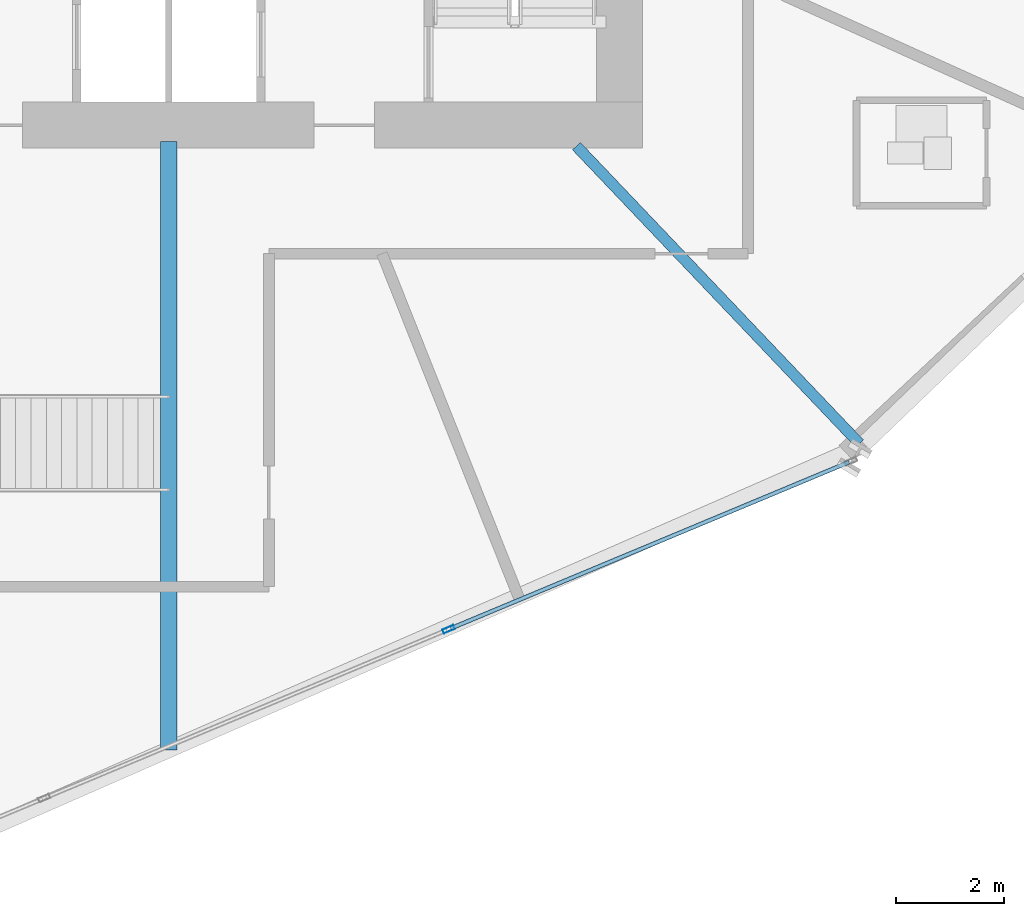
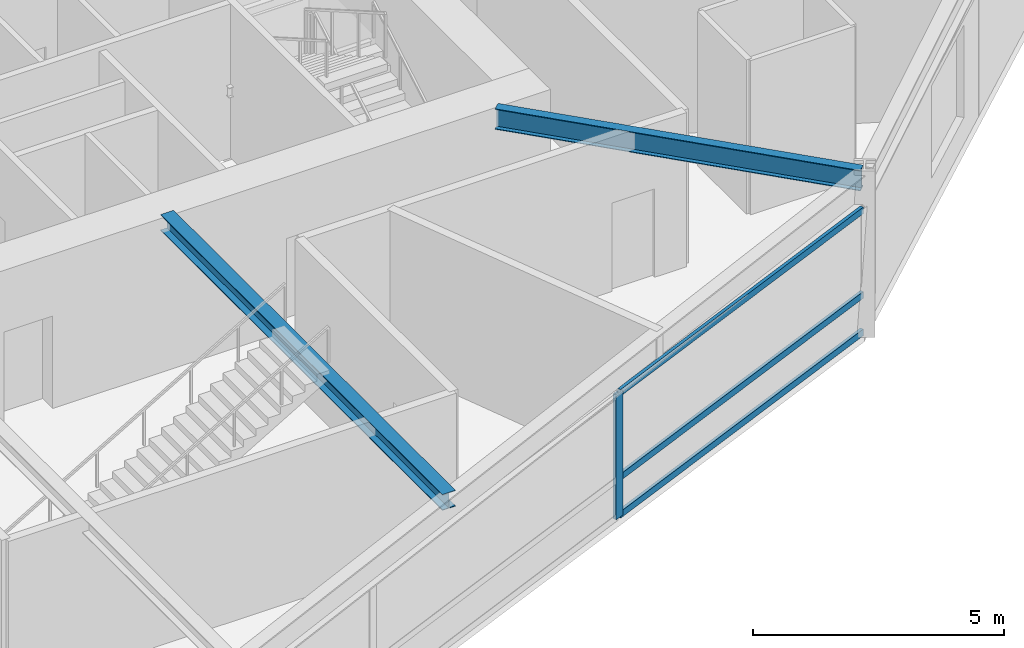
# One storey, part 6 of 19: 4 members, 2 beams, 1 element without a shape of its own.
"""IFC4 building model written with IfcOpenShell, lengths in metres."""

import ifcopenshell
import ifcopenshell.guid

model = None  # the IFC model being written
_history = None  # IfcOwnerHistory: only IFC2X3 demands one
_inside = {}  # id of a spatial element -> (the spatial element, [elements in it])
_under = {}  # id of a project, library or spatial element -> (it, [spatial elements below it])
_declared = {}  # id of a project -> (the project, [libraries it declares])
_typed = {}  # id of a type object -> (the type object, [elements of that type])
_made_of = {}  # id of a material, layer set ... -> (it, [elements and type objects made of it])


def new_model(schema):
    """Start an empty IFC model of exactly this schema.

    Asked for "IFC4X3", IfcOpenShell would pick the latest addendum, in which some entities
    have other attributes; the version numbers below select the first issue.
    IFC2X3 requires an IfcOwnerHistory on every rooted entity: one is made here for all.
    """
    global model, _history
    if schema == "IFC4X3":
        model = ifcopenshell.file(schema_version=(4, 3, 0, 0))
    else:
        model = ifcopenshell.file(schema=schema)
    _inside.clear()
    _under.clear()
    _declared.clear()
    _typed.clear()
    _made_of.clear()
    _history = None
    if model.schema == "IFC2X3":
        org = make("IfcOrganization", Name="unknown")
        user = make(
            "IfcPersonAndOrganization",
            ThePerson=make("IfcPerson", FamilyName="unknown"),
            TheOrganization=org,
        )
        app = make(
            "IfcApplication",
            ApplicationDeveloper=org,
            Version="unknown",
            ApplicationFullName="unknown",
            ApplicationIdentifier="unknown",
        )
        _history = make(
            "IfcOwnerHistory",
            OwningUser=user,
            OwningApplication=app,
            ChangeAction="ADDED",
            CreationDate=0,
        )
    return model


def make(cls, **values):
    """One entity of the class cls with the attributes given. An attribute that is None is left unset."""
    return model.create_entity(
        cls, **{name: value for name, value in values.items() if value is not None}
    )


def rooted(cls, **values):
    """An entity with a GlobalId (a new one), such as an element, a storey or a relation."""
    return make(cls, GlobalId=ifcopenshell.guid.new(), OwnerHistory=_history, **values)


def si_unit(unit_type, name, prefix=None):
    """IfcSIUnit, for example si_unit("LENGTHUNIT", "METRE", prefix="MILLI")."""
    return make("IfcSIUnit", UnitType=unit_type, Prefix=prefix, Name=name)


def assignment(units):
    """IfcUnitAssignment: the units of a project."""
    return None if units is None else make("IfcUnitAssignment", Units=units)


def point(xyz):
    """IfcCartesianPoint."""
    return None if xyz is None else make("IfcCartesianPoint", Coordinates=xyz)


def direction(xyz):
    """IfcDirection."""
    return None if xyz is None else make("IfcDirection", DirectionRatios=xyz)


def frame(location, z_axis=None, x_axis=None):
    """IfcAxis2Placement3D, a coordinate frame: its origin and axes. An axis left out is left unset."""
    return make(
        "IfcAxis2Placement3D",
        Location=point(location),
        Axis=direction(z_axis),
        RefDirection=direction(x_axis),
    )


def frame_2d(location, x_axis=None):
    """IfcAxis2Placement2D, a coordinate frame in the plane: its origin and x axis."""
    return make(
        "IfcAxis2Placement2D", Location=point(location), RefDirection=direction(x_axis)
    )


def origin():
    """The frame at (0, 0, 0) with its axes left unset."""
    return frame((0.0, 0.0, 0.0))


def origin_2d():
    """The frame at (0, 0) in the plane with its x axis left unset."""
    return frame_2d((0.0, 0.0))


def place(relative_to, where):
    """IfcLocalPlacement: puts the frame where relative to a parent placement (None: the world)."""
    return make(
        "IfcLocalPlacement", PlacementRelTo=relative_to, RelativePlacement=where
    )


def context(
    kind, dimensions, precision=None, world=None, true_north=None, identifier=None
):
    """IfcGeometricRepresentationContext, for example the 3D "Model" context."""
    return make(
        "IfcGeometricRepresentationContext",
        ContextIdentifier=identifier,
        ContextType=kind,
        CoordinateSpaceDimension=dimensions,
        Precision=precision,
        WorldCoordinateSystem=world,
        TrueNorth=true_north,
    )


def subcontext(parent, identifier, kind, view, scale=None):
    """IfcGeometricRepresentationSubContext, for example "Body" below "Model"."""
    return make(
        "IfcGeometricRepresentationSubContext",
        ContextIdentifier=identifier,
        ContextType=kind,
        ParentContext=parent,
        TargetScale=scale,
        TargetView=view,
    )


def project(units=None, contexts=None):
    """IfcProject with its units and contexts."""
    return rooted(
        "IfcProject",
        Name="project",
        RepresentationContexts=contexts,
        UnitsInContext=assignment(units),
    )


def spatial(cls, under=None, at=None, **own):
    """A site, building, storey or space (cls), placed at a placement, below another one or the project."""
    s = rooted(cls, ObjectPlacement=at, **own)
    if under is not None:
        _under.setdefault(under.id(), (under, []))[1].append(s)
    return s


def profile(cls, at=None, kind="AREA", **sizes):
    """A parametric profile (cls). Its sizes go by their IFC names, for example OverallWidth=200.0."""
    return make(cls, ProfileType=kind, Position=at, **sizes)


def hollow_rectangle(**sizes):
    """IfcRectangleHollowProfileDef."""
    return profile("IfcRectangleHollowProfileDef", **sizes)


def i_section(**sizes):
    """IfcIShapeProfileDef."""
    return profile("IfcIShapeProfileDef", **sizes)


def extrude(swept, where, along, depth):
    """IfcExtrudedAreaSolid: the profile swept, set in the frame where, extruded along a direction by depth."""
    return make(
        "IfcExtrudedAreaSolid",
        SweptArea=swept,
        Position=where,
        ExtrudedDirection=direction(along),
        Depth=depth,
    )


def shape(context_of_items, identifier, shape_type, items):
    """IfcShapeRepresentation: the items that make up one representation, for example the "Body"."""
    return make(
        "IfcShapeRepresentation",
        ContextOfItems=context_of_items,
        RepresentationIdentifier=identifier,
        RepresentationType=shape_type,
        Items=items,
    )


def source(mapping_origin, context_of_items, identifier, shape_type, items):
    """IfcRepresentationMap: a shape defined once, which mapped items show again and again."""
    return make(
        "IfcRepresentationMap",
        MappingOrigin=mapping_origin,
        MappedRepresentation=shape(context_of_items, identifier, shape_type, items),
    )


def transform(
    local_origin,
    x_axis=None,
    y_axis=None,
    z_axis=None,
    scale=None,
    scale2=None,
    scale3=None,
    uniform=True,
):
    """IfcCartesianTransformationOperator3D, or its non-uniform kind. x_axis, y_axis, z_axis: its Axis1, 2, 3."""
    if uniform:
        return make(
            "IfcCartesianTransformationOperator3D",
            Axis1=direction(x_axis),
            Axis2=direction(y_axis),
            LocalOrigin=point(local_origin),
            Scale=scale,
            Axis3=direction(z_axis),
        )
    return make(
        "IfcCartesianTransformationOperator3DnonUniform",
        Axis1=direction(x_axis),
        Axis2=direction(y_axis),
        LocalOrigin=point(local_origin),
        Scale=scale,
        Axis3=direction(z_axis),
        Scale2=scale2,
        Scale3=scale3,
    )


def mapped(mapping_source, mapping_target):
    """IfcMappedItem: shows the shape of a source again, moved by a transform."""
    return make(
        "IfcMappedItem", MappingSource=mapping_source, MappingTarget=mapping_target
    )


def material(Name=None, Category=None):
    """IfcMaterial."""
    return make("IfcMaterial", Name=Name, Category=Category)


def material_profile(
    of_material, cross_section, Name=None, Category=None, Priority=None
):
    """IfcMaterialProfile: a cross section and its material."""
    return make(
        "IfcMaterialProfile",
        Name=Name,
        Material=of_material,
        Profile=cross_section,
        Priority=Priority,
        Category=Category,
    )


def profile_set(profiles, Name=None, composite=None):
    """IfcMaterialProfileSet."""
    return make(
        "IfcMaterialProfileSet",
        Name=Name,
        MaterialProfiles=profiles,
        CompositeProfile=composite,
    )


def made_of(thing, what):
    """Note that an element or type object is made of a material, layer set ...; save() writes the relation."""
    if what is not None:
        _made_of.setdefault(what.id(), (what, []))[1].append(thing)
    return thing


def type_object(cls, material=None, **own):
    """A type object (cls), such as IfcWallType, which elements share."""
    return made_of(rooted(cls, **own), material)


def element(
    cls,
    number,
    at=None,
    inside=None,
    cuts=None,
    type_object=None,
    material=None,
    context=None,
    identifier="Body",
    shape_type=None,
    held_by="IfcProductDefinitionShape",
    body=None,
    shapes=None,
    **own,
):
    """One element of the class cls, such as IfcWall. Its Tag is "e" and its number.

    at: its placement. inside: the storey or other place that contains it. cuts: it is an
    opening in that element (IfcRelVoidsElement). A single representation is given by context,
    identifier, shape_type and body (its items); several are given by shapes. held_by: the class
    of the entity that holds the representations. save() writes the other relations.
    """
    e = rooted(cls, Tag="e%d" % number, ObjectPlacement=at, **own)
    if body is not None:
        shapes = [shape(context, identifier, shape_type, body)]
    if shapes is not None:
        e.Representation = make(held_by, Representations=shapes)
    if inside is not None:
        _inside.setdefault(inside.id(), (inside, []))[1].append(e)
    if cuts is not None:
        rooted(
            "IfcRelVoidsElement", RelatingBuildingElement=cuts, RelatedOpeningElement=e
        )
    if type_object is not None:
        _typed.setdefault(type_object.id(), (type_object, []))[1].append(e)
    return made_of(e, material)


def aggregate(whole, parts):
    """IfcRelAggregates: a whole, such as a stair, and the parts it consists of."""
    return rooted("IfcRelAggregates", RelatingObject=whole, RelatedObjects=parts)


def save(model, path):
    """Write the relations noted so far, then the file.

    IfcRelAggregates (storeys below a building ...), IfcRelContainedInSpatialStructure (elements
    in a storey), IfcRelDefinesByType, IfcRelAssociatesMaterial and IfcRelDeclares: one each for
    every whole, place, type object, material and project.
    """
    for whole, parts in _under.values():
        aggregate(whole, parts)
    for where, things in _inside.values():
        rooted(
            "IfcRelContainedInSpatialStructure",
            RelatedElements=things,
            RelatingStructure=where,
        )
    for kind, things in _typed.values():
        rooted("IfcRelDefinesByType", RelatedObjects=things, RelatingType=kind)
    for what, things in _made_of.values():
        rooted("IfcRelAssociatesMaterial", RelatedObjects=things, RelatingMaterial=what)
    for by, libraries in _declared.values():
        rooted("IfcRelDeclares", RelatingContext=by, RelatedDefinitions=libraries)
    model.write(path)


model = new_model("IFC4")

# Units and contexts
model_context = context("Model", 3, precision=1e-05, world=origin(), true_north=direction((0.0, 1.0)))
body_context = subcontext(model_context, "Body", "Model", "MODEL_VIEW")
ifc_project = project(units=[si_unit("LENGTHUNIT", "METRE"), si_unit("AREAUNIT", "SQUARE_METRE"), si_unit("VOLUMEUNIT", "CUBIC_METRE"), si_unit("PLANEANGLEUNIT", "RADIAN"), si_unit("MASSUNIT", "GRAM", prefix="KILO")], contexts=[model_context])

# Site, building, storey
site_placement = place(None, origin())
site = spatial("IfcSite", under=ifc_project, at=site_placement, CompositionType="ELEMENT")
building_placement = place(site_placement, origin())
building = spatial("IfcBuilding", under=site, at=building_placement, Name="Olszyna Solenne Hotel", CompositionType="ELEMENT")
storey_placement = place(building_placement, frame((0.0, 0.0, 71.89990234375)))
storey = spatial("IfcBuildingStorey", under=building, at=storey_placement, Name="L18", CompositionType="ELEMENT", Elevation=71.89990234375)

# Beams
ifc_material_1 = material(Name="Steel S355J2", Category="steel")
ifc_material_profile_1 = material_profile(ifc_material_1, i_section(OverallWidth=0.199951171875, OverallDepth=0.5, WebThickness=0.01025390625, FlangeThickness=0.01611328125, at=origin_2d()), Name="IPE 500", Category="load-bearing")
ifc_profile_set_1 = profile_set([ifc_material_profile_1], Name="Steel S355J2")
beam_type_1 = type_object("IfcBeamType", Name="BM-F3", PredefinedType="BEAM", material=ifc_profile_set_1)
shared_shape_1 = source(origin(), body_context, "Body", "SweptSolid", [
    extrude(i_section(OverallWidth=0.199951171875, OverallDepth=0.5, WebThickness=0.01025390625, FlangeThickness=0.01611328125, at=origin_2d()), origin(), (0.0, 0.0, 1.0), 7.58447265625),
])
beam_1_placement = place(storey_placement, frame((50.759521484375, 13.192138671875, 3.5), z_axis=(-0.689378618281, 0.724401215251, 0.0), x_axis=(-0.724401215251, -0.689378618281, 0.0)))
element("IfcBeam", 1, at=beam_1_placement, inside=storey, type_object=beam_type_1, Name="Radial floor girder BM-F3 B-L18-0569", PredefinedType="BEAM", context=body_context, shape_type="MappedRepresentation", body=[
    mapped(shared_shape_1, transform((0.0, 0.0, 0.0), x_axis=(1.0, 0.0, 0.0), y_axis=(0.0, 1.0, 0.0), z_axis=(0.0, 0.0, 1.0), scale=1.0)),
])
ifc_material_profile_2 = material_profile(ifc_material_1, i_section(OverallWidth=0.300048828125, OverallDepth=0.389892578125, WebThickness=0.010986328125, FlangeThickness=0.01904296875, at=origin_2d()), Name="HEA 400", Category="load-bearing")
ifc_profile_set_2 = profile_set([ifc_material_profile_2], Name="Steel S355J2")
beam_type_2 = type_object("IfcBeamType", Name="BM-G2", PredefinedType="BEAM", material=ifc_profile_set_2)
shared_shape_2 = source(origin(), body_context, "Body", "SweptSolid", [
    extrude(i_section(OverallWidth=0.300048828125, OverallDepth=0.389892578125, WebThickness=0.010986328125, FlangeThickness=0.01904296875, at=origin_2d()), origin(), (0.0, 0.0, 1.0), 11.232421875),
])
beam_2_placement = place(storey_placement, frame((38.0, 7.53759765625, 3.55517578125), z_axis=(0.0, 1.0, 0.0), x_axis=(-1.0, 0.0, 0.0)))
element("IfcBeam", 2, at=beam_2_placement, inside=storey, type_object=beam_type_2, Name="Feature stair East arrival girder BM-G2 B-L18-0573", PredefinedType="BEAM", context=body_context, shape_type="MappedRepresentation", body=[
    mapped(shared_shape_2, transform((0.0, 0.0, 0.0), x_axis=(1.0, 0.0, 0.0), y_axis=(0.0, 1.0, 0.0), z_axis=(0.0, 0.0, 1.0), scale=1.0)),
])

# Curtain wall, members
ifc_material_2 = material(Name="Anodised bronze aluminium", Category="aluminium")
curtain_wall_type = type_object("IfcCurtainWallType", Name="CW-SYS-6", PredefinedType="NOTDEFINED", material=ifc_material_2)
curtain_wall_placement = place(storey_placement, origin())
curtain_wall = element("IfcCurtainWall", 3, at=curtain_wall_placement, inside=storey, type_object=curtain_wall_type, Name="Unitised curtain wall CW-SYS-6 CW-L18-01", PredefinedType="NOTDEFINED")
ifc_material_profile_3 = material_profile(ifc_material_2, hollow_rectangle(XDim=0.080078125, YDim=0.219970703125, WallThickness=0.0048828125, at=origin_2d()), Name="MULL 220x80x5", Category="load-bearing")
ifc_profile_set_3 = profile_set([ifc_material_profile_3], Name="Anodised bronze aluminium")
member_type_1 = type_object("IfcMemberType", Name="CW-M1", PredefinedType="MULLION", material=ifc_profile_set_3)
shared_shape_3 = source(origin(), body_context, "Body", "SweptSolid", [
    extrude(hollow_rectangle(XDim=0.080078125, YDim=0.219970703125, WallThickness=0.0048828125, at=origin_2d()), origin(), (0.0, 0.0, 1.0), 3.0419921875),
])
member_1_placement = place(storey_placement, frame((43.17138671875, 9.762939453125, 0.0), z_axis=(0.0, 0.0, 1.0), x_axis=(-0.385295684368, 0.922793170547, 0.0)))
member_1 = element("IfcMember", 4, at=member_1_placement, type_object=member_type_1, Name="Curtain-wall mullion CW-M1 CM-L18-01-03", PredefinedType="MULLION", context=body_context, shape_type="MappedRepresentation", body=[
    mapped(shared_shape_3, transform((0.0, 0.0, 0.0), x_axis=(1.0, 0.0, 0.0), y_axis=(0.0, 1.0, 0.0), z_axis=(0.0, 0.0, 1.0), scale=1.0)),
])
ifc_material_profile_4 = material_profile(ifc_material_2, hollow_rectangle(XDim=0.074951171875, YDim=0.159912109375, WallThickness=0.00390625, at=origin_2d()), Name="TRAN 160x75x4", Category="load-bearing")
ifc_profile_set_4 = profile_set([ifc_material_profile_4], Name="Anodised bronze aluminium")
member_type_2 = type_object("IfcMemberType", Name="CW-T1", PredefinedType="USERDEFINED", material=ifc_profile_set_4)
shared_shape_4 = source(origin(), body_context, "Body", "SweptSolid", [
    extrude(hollow_rectangle(XDim=0.074951171875, YDim=0.159912109375, WallThickness=0.00390625, at=origin_2d()), origin(), (0.0, 0.0, 1.0), 7.974853515625),
])
member_2_placement = place(storey_placement, frame((43.208251953125, 9.7783203125, 0.03759765625), z_axis=(0.922789548977, 0.385304358007, 0.0), x_axis=(-0.385304358007, 0.922789548977, 0.0)))
member_2 = element("IfcMember", 5, at=member_2_placement, type_object=member_type_2, Name="Curtain-wall transom CW-T1 CT-L18-01-07", ObjectType="TRANSOM", PredefinedType="USERDEFINED", context=body_context, shape_type="MappedRepresentation", body=[
    mapped(shared_shape_4, transform((0.0, 0.0, 0.0), x_axis=(1.0, 0.0, 0.0), y_axis=(0.0, 1.0, 0.0), z_axis=(0.0, 0.0, 1.0), scale=1.0)),
])
member_3_placement = place(storey_placement, frame((43.208251953125, 9.7783203125, 0.9501953125), z_axis=(0.922789548977, 0.385304358007, 0.0), x_axis=(-0.385304358007, 0.922789548977, 0.0)))
member_3 = element("IfcMember", 6, at=member_3_placement, type_object=member_type_2, Name="Curtain-wall transom CW-T1 CT-L18-01-08", ObjectType="TRANSOM", PredefinedType="USERDEFINED", context=body_context, shape_type="MappedRepresentation", body=[
    mapped(shared_shape_4, transform((0.0, 0.0, 0.0), x_axis=(1.0, 0.0, 0.0), y_axis=(0.0, 1.0, 0.0), z_axis=(0.0, 0.0, 1.0), scale=1.0)),
])
member_4_placement = place(storey_placement, frame((43.208251953125, 9.7783203125, 3.004638671875), z_axis=(0.922789548977, 0.385304358007, 0.0), x_axis=(-0.385304358007, 0.922789548977, 0.0)))
member_4 = element("IfcMember", 7, at=member_4_placement, type_object=member_type_2, Name="Curtain-wall transom CW-T1 CT-L18-01-09", ObjectType="TRANSOM", PredefinedType="USERDEFINED", context=body_context, shape_type="MappedRepresentation", body=[
    mapped(shared_shape_4, transform((0.0, 0.0, 0.0), x_axis=(1.0, 0.0, 0.0), y_axis=(0.0, 1.0, 0.0), z_axis=(0.0, 0.0, 1.0), scale=1.0)),
])
aggregate(curtain_wall, [member_1, member_2, member_3, member_4])

save(model, "model.ifc")
